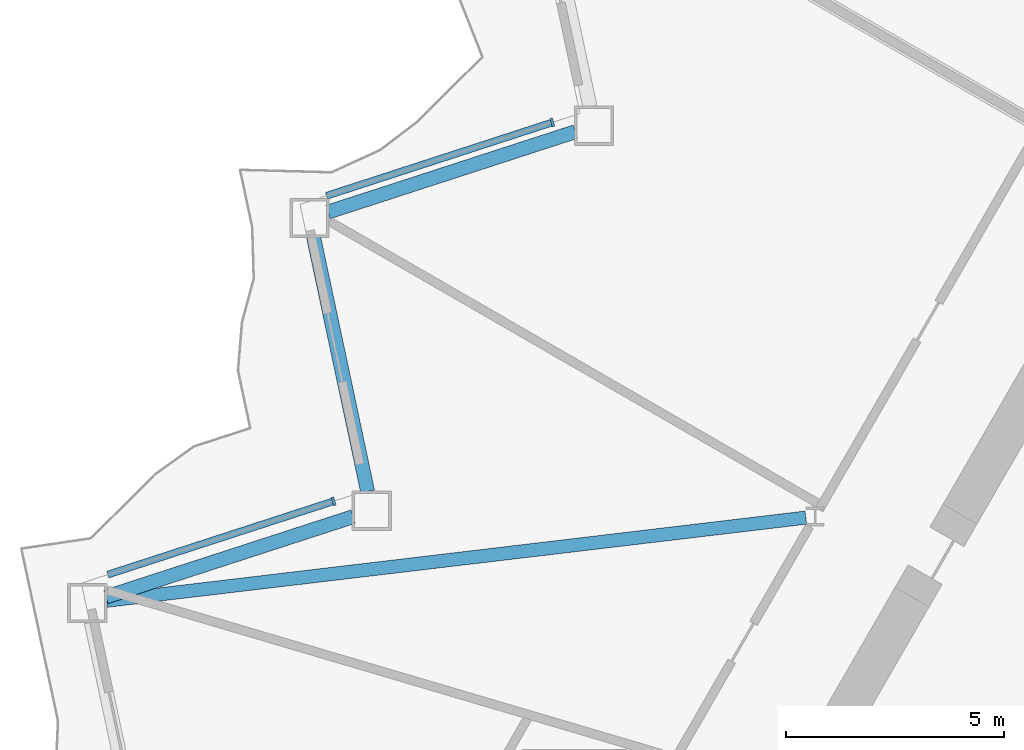
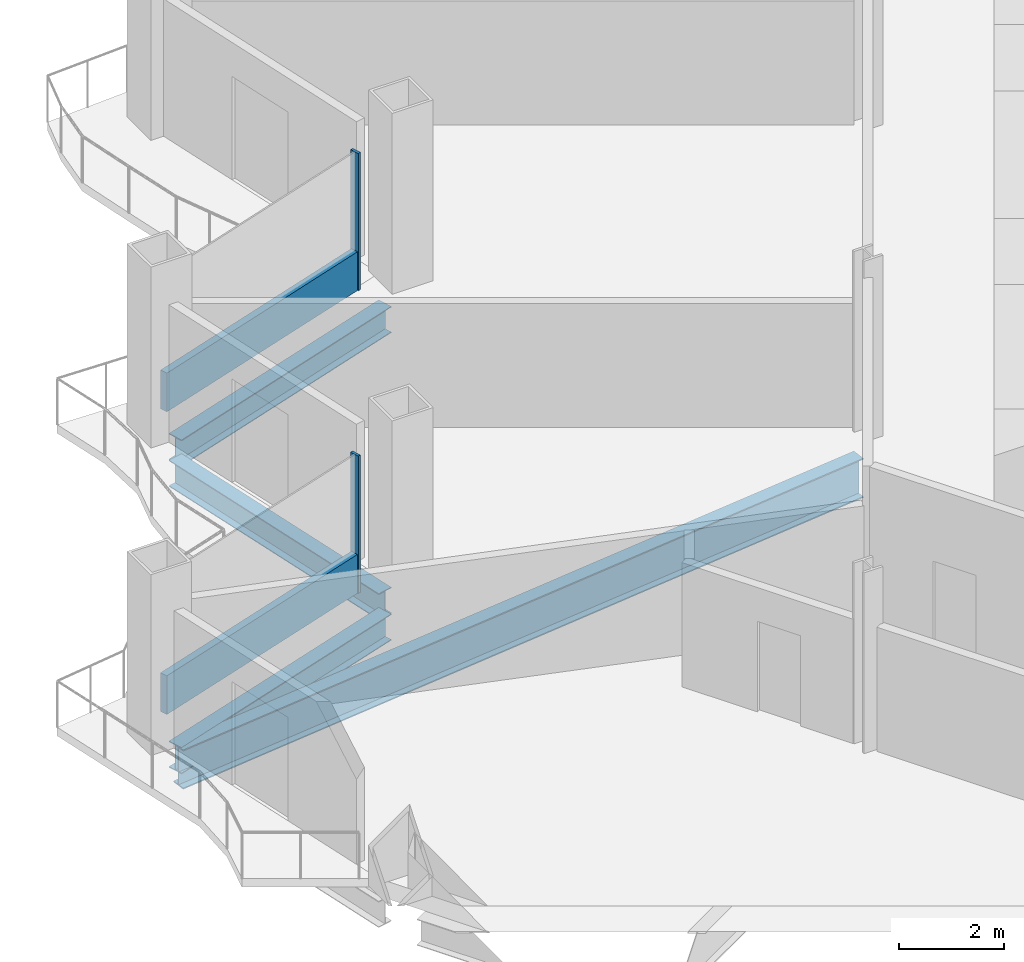
# One storey, part 4 of 21: 4 beams, 4 members, 2 elements without a shape of their own.
"""IFC4 building model written with IfcOpenShell, lengths in metres."""

from ifc_helpers import new_model, si_unit, direction, frame, origin, origin_2d, place, context, subcontext, project, spatial, rectangle, i_section, extrude, material, layer, layer_set, material_profile, profile_set, type_object, element, aggregate, save


model = new_model("IFC4")

# Units and contexts
model_context = context("Model", 3, precision=1e-05, world=origin(), true_north=direction((0.0, 1.0)))
body_context = subcontext(model_context, "Body", "Model", "MODEL_VIEW")
ifc_project = project(units=[si_unit("LENGTHUNIT", "METRE"), si_unit("AREAUNIT", "SQUARE_METRE"), si_unit("VOLUMEUNIT", "CUBIC_METRE"), si_unit("PLANEANGLEUNIT", "RADIAN"), si_unit("MASSUNIT", "GRAM", prefix="KILO")], contexts=[model_context])

# Site, building, storey
site_placement = place(None, origin())
site = spatial("IfcSite", under=ifc_project, at=site_placement, CompositionType="ELEMENT")
building_placement = place(site_placement, origin())
building = spatial("IfcBuilding", under=site, at=building_placement, Name="Cormorant Prow Tower", CompositionType="ELEMENT")
storey_placement = place(building_placement, frame((0.0, 0.0, 120.60009765625)))
storey = spatial("IfcBuildingStorey", under=building, at=storey_placement, Name="L25", CompositionType="ELEMENT", Elevation=120.60009765625)

# Curtain wall, member
ifc_material_1 = material(Name="Aluminium 6063-T6", Category="aluminium")
ifc_layer = layer(ifc_material_1, 0.199951171875)
ifc_layer_set = layer_set([ifc_layer], Name="Aluminium 6063-T6")
curtain_wall_type = type_object("IfcCurtainWallType", Name="Office unitised curtain wall 200", PredefinedType="NOTDEFINED", material=ifc_layer_set)
curtain_wall_1_placement = place(storey_placement, origin())
curtain_wall_1 = element("IfcCurtainWall", 1, at=curtain_wall_1_placement, inside=storey, type_object=curtain_wall_type, Name="Office curtain wall WNW06", PredefinedType="NOTDEFINED")
ifc_material_2 = material(Name="Aluminium 6063-T6", Category="aluminium")
ifc_material_profile_1 = material_profile(ifc_material_2, rectangle(XDim=0.199951171875, YDim=0.06005859375, at=origin_2d()), Name="Office mullion 60x200")
ifc_profile_set_1 = profile_set([ifc_material_profile_1], Name="Aluminium 6063-T6")
member_type_1 = type_object("IfcMemberType", Name="Office mullion 60x200", PredefinedType="MULLION", material=ifc_profile_set_1)
member_1_placement = place(storey_placement, frame((-21.524169921875, 6.061279296875, 0.0), z_axis=(0.0, 0.0, 1.0), x_axis=(0.309016891394, -0.951056549756, 0.0)))
member_1 = element("IfcMember", 2, at=member_1_placement, type_object=member_type_1, Name="Office mullion WNW06", PredefinedType="MULLION", context=body_context, shape_type="SweptSolid", body=[
    extrude(rectangle(XDim=0.199951171875, YDim=0.06005859375, at=origin_2d()), origin(), (0.0, 0.0, 1.0), 3.188720703125),
])

curtain_wall_2_placement = place(storey_placement, origin())
curtain_wall_2 = element("IfcCurtainWall", 3, at=curtain_wall_2_placement, inside=storey, type_object=curtain_wall_type, Name="Office curtain wall WNW08", PredefinedType="NOTDEFINED")
member_2_placement = place(storey_placement, frame((-26.542236328125, -2.63037109375, 0.0), z_axis=(0.0, 0.0, 1.0), x_axis=(0.309017025349, -0.951056506231, 0.0)))
member_2 = element("IfcMember", 4, at=member_2_placement, type_object=member_type_1, Name="Office mullion WNW08", PredefinedType="MULLION", context=body_context, shape_type="SweptSolid", body=[
    extrude(rectangle(XDim=0.199951171875, YDim=0.06005859375, at=origin_2d()), origin(), (0.0, 0.0, 1.0), 3.188720703125),
])

# Member
ifc_material_3 = material(Name="Terracotta", Category="masonry")
ifc_material_profile_2 = material_profile(ifc_material_3, rectangle(XDim=0.159912109375, YDim=0.89990234375, at=origin_2d()), Name="Office terracotta spandrel rail 160x900")
ifc_profile_set_2 = profile_set([ifc_material_profile_2], Name="Terracotta")
member_type_2 = type_object("IfcMemberType", Name="Office terracotta spandrel rail 160x900", PredefinedType="USERDEFINED", material=ifc_profile_set_2)
member_3_placement = place(storey_placement, frame((-21.552734375, 6.052001953125, 0.449951171875), z_axis=(-0.951052272116, -0.30903005631, 0.0), x_axis=(0.30903005631, -0.951052272116, 0.0)))
member_3 = element("IfcMember", 5, at=member_3_placement, type_object=member_type_2, Name="Office spandrel rail WNW06", ObjectType="TRANSOM", PredefinedType="USERDEFINED", context=body_context, shape_type="SweptSolid", body=[
    extrude(rectangle(XDim=0.159912109375, YDim=0.89990234375, at=origin_2d()), origin(), (0.0, 0.0, 1.0), 5.42041015625),
])

aggregate(curtain_wall_1, [member_1, member_3])

member_4_placement = place(storey_placement, frame((-26.57080078125, -2.6396484375, 0.449951171875), z_axis=(-0.951052272116, -0.30903005631, 0.0), x_axis=(0.30903005631, -0.951052272116, 0.0)))
member_4 = element("IfcMember", 6, at=member_4_placement, type_object=member_type_2, Name="Office spandrel rail WNW08", ObjectType="TRANSOM", PredefinedType="USERDEFINED", context=body_context, shape_type="SweptSolid", body=[
    extrude(rectangle(XDim=0.159912109375, YDim=0.89990234375, at=origin_2d()), origin(), (0.0, 0.0, 1.0), 5.42041015625),
])

aggregate(curtain_wall_2, [member_2, member_4])

# Beams
ifc_material_4 = material(Name="Structural steel ASTM A992 Gr 50", Category="steel")
ifc_material_profile_3 = material_profile(ifc_material_4, i_section(OverallWidth=0.3046875, OverallDepth=0.914794921875, WebThickness=0.0166015625, FlangeThickness=0.02587890625, at=origin_2d()), Name="W36x160")
ifc_profile_set_3 = profile_set([ifc_material_profile_3], Name="Structural steel ASTM A992 Gr 50")
beam_type_1 = type_object("IfcBeamType", Name="Radial floor beam W36x160", PredefinedType="BEAM", material=ifc_profile_set_3)
beam_1_placement = place(storey_placement, frame((-15.70849609375, -3.00732421875, -0.857421875), z_axis=(-0.993009167646, -0.118037252474, 0.0), x_axis=(0.118037252474, -0.993009167646, 0.0)))
element("IfcBeam", 7, at=beam_1_placement, inside=storey, type_object=beam_type_1, Name="Radial floor beam FB1 4 L25", PredefinedType="BEAM", context=body_context, shape_type="SweptSolid", body=[
    extrude(i_section(OverallWidth=0.3046875, OverallDepth=0.914794921875, WebThickness=0.0166015625, FlangeThickness=0.02587890625, at=origin_2d()), origin(), (0.0, 0.0, 1.0), 16.15380859375),
])
ifc_material_5 = material(Name="Structural steel ASTM A992 Gr 50", Category="steel")
ifc_material_profile_4 = material_profile(ifc_material_5, i_section(OverallWidth=0.32373046875, OverallDepth=0.611083984375, WebThickness=0.0126953125, FlangeThickness=0.01904296875, at=origin_2d()), Name="W24x104")
ifc_profile_set_4 = profile_set([ifc_material_profile_4], Name="Structural steel ASTM A992 Gr 50")
beam_type_2 = type_object("IfcBeamType", Name="Spandrel beam W24x104", PredefinedType="SPANDREL", material=ifc_profile_set_4)
beam_2_placement = place(storey_placement, frame((-20.99755859375, 5.847900390625, -0.70556640625), z_axis=(-0.951055430656, -0.309020335608, 0.0), x_axis=(0.309020335608, -0.951055430656, 0.0)))
element("IfcBeam", 8, at=beam_2_placement, inside=storey, type_object=beam_type_2, Name="Spandrel beam SB1 WNW06-WNW07 L25", PredefinedType="SPANDREL", context=body_context, shape_type="SweptSolid", body=[
    extrude(i_section(OverallWidth=0.32373046875, OverallDepth=0.611083984375, WebThickness=0.0126953125, FlangeThickness=0.01904296875, at=origin_2d()), origin(), (0.0, 0.0, 1.0), 5.96240234375),
])
for number, where, z_axis, x_axis, name in (
    (9, (-27.002685546875, 3.426025390625, -0.70556640625), (0.207920947907, -0.978145633033, 0.0), (0.978145633033, 0.207920947907, 0.0), "Spandrel beam SB1 WNW07-WNW08 L25"),
    (10, (-26.097412109375, -2.985595703125, -0.70556640625), (-0.951059340519, -0.309008302174, 0.0), (0.309008302174, -0.951059340519, 0.0), "Spandrel beam SB1 WNW08-WNW09 L25"),
):
    element("IfcBeam", number, at=place(storey_placement, frame(where, z_axis=z_axis, x_axis=x_axis)), inside=storey, type_object=beam_type_2, Name=name, PredefinedType="SPANDREL", context=body_context, shape_type="SweptSolid", body=[
        extrude(i_section(OverallWidth=0.32373046875, OverallDepth=0.611083984375, WebThickness=0.0126953125, FlangeThickness=0.01904296875, at=origin_2d()), origin(), (0.0, 0.0, 1.0), 5.962646484375),
    ])

save(model, "model.ifc")
